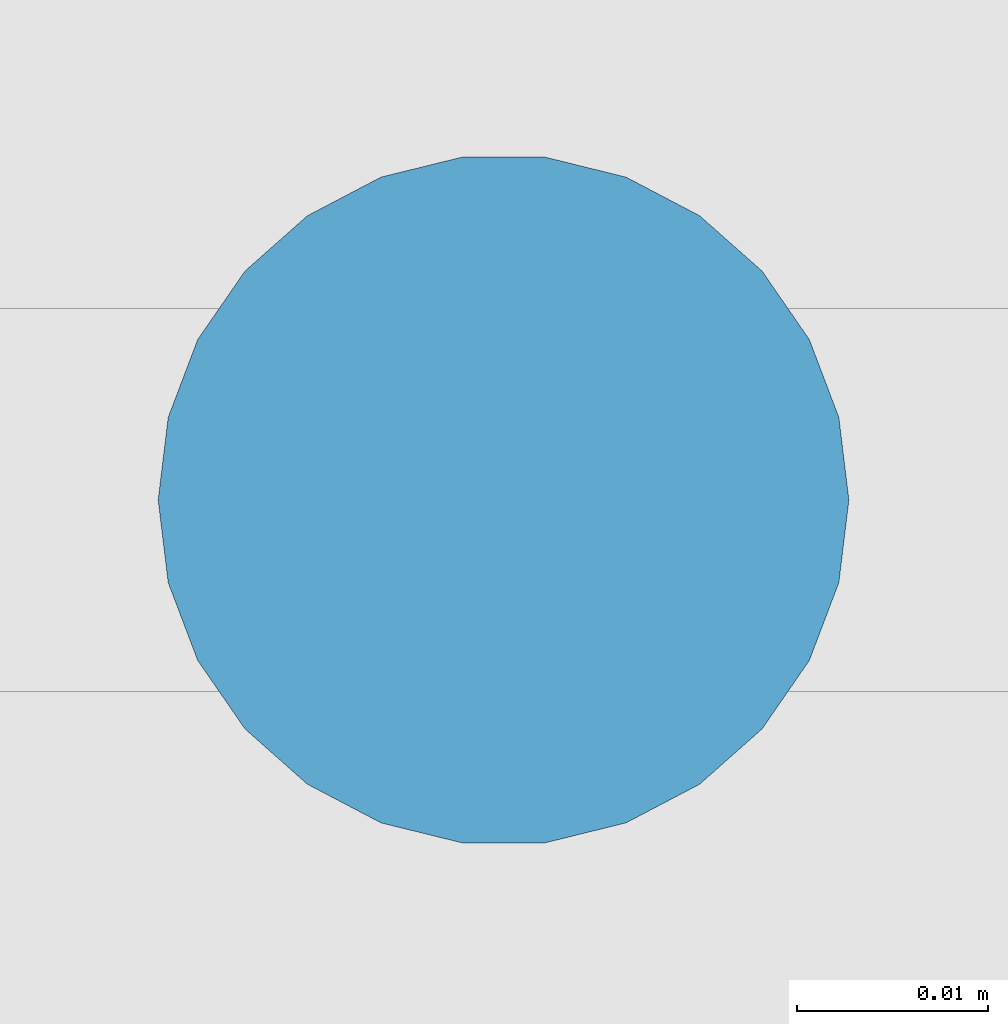
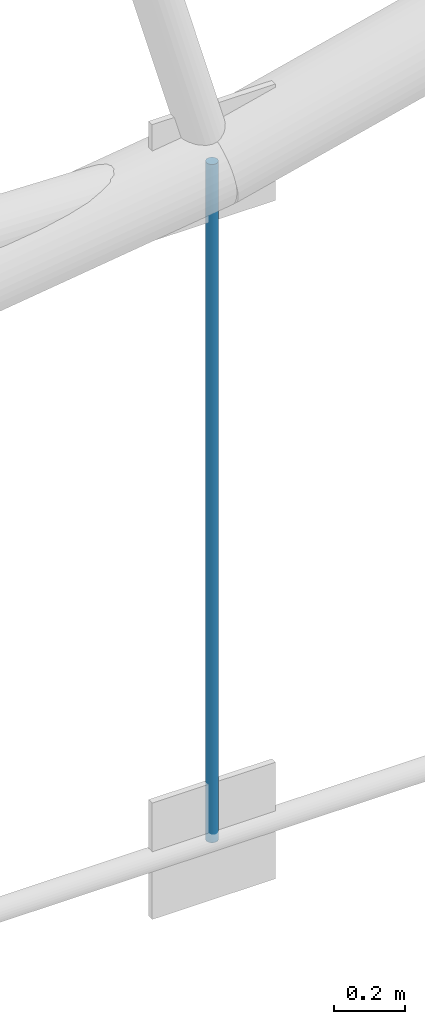
# One storey, part 78 of 321: 1 member.
"""IFC4 building model written with IfcOpenShell, lengths in metres."""

from ifc_helpers import new_model, si_unit, direction, frame, origin, origin_2d, place, context, subcontext, project, spatial, circle, extrude, material, material_profile, profile_set, type_object, element, save


model = new_model("IFC4")

# Units and contexts
model_context = context("Model", 3, precision=1e-05, world=origin(), true_north=direction((0.0, 1.0)))
body_context = subcontext(model_context, "Body", "Model", "MODEL_VIEW")
ifc_project = project(units=[si_unit("LENGTHUNIT", "METRE"), si_unit("AREAUNIT", "SQUARE_METRE"), si_unit("VOLUMEUNIT", "CUBIC_METRE"), si_unit("PLANEANGLEUNIT", "RADIAN"), si_unit("MASSUNIT", "GRAM", prefix="KILO")], contexts=[model_context])

# Site, building, storey
site_placement = place(None, origin())
site = spatial("IfcSite", under=ifc_project, at=site_placement, CompositionType="ELEMENT")
building_placement = place(site_placement, origin())
building = spatial("IfcBuilding", under=site, at=building_placement, Name="Ravi Spectrum Wholesale Market", CompositionType="ELEMENT")
storey_placement = place(building_placement, frame((0.0, 0.0, 10.800048828125)))
storey = spatial("IfcBuildingStorey", under=building, at=storey_placement, Name="L02", CompositionType="ELEMENT", Elevation=10.800048828125)

# Member
ifc_material = material(Name="Steel S355", Category="steel")
ifc_material_profile = material_profile(ifc_material, circle(Radius=0.01806640625, at=origin_2d()))
ifc_profile_set = profile_set([ifc_material_profile], Name="Steel S355")
member_type = type_object("IfcMemberType", Name="ROD 36 hanger", PredefinedType="STRUT", material=ifc_profile_set)
member_placement = place(storey_placement, frame((43.55029296875, 138.0, 0.023193359375), z_axis=(0.0, 0.0, 1.0), x_axis=(1.0, 0.0, 0.0)))
element("IfcMember", 1, at=member_placement, inside=storey, type_object=member_type, Name="H1-MB-L02-806", PredefinedType="STRUT", context=body_context, shape_type="SweptSolid", body=[
    extrude(circle(Radius=0.01806640625, at=origin_2d()), origin(), (0.0, 0.0, 1.0), 2.328857421875),
])

save(model, "model.ifc")
